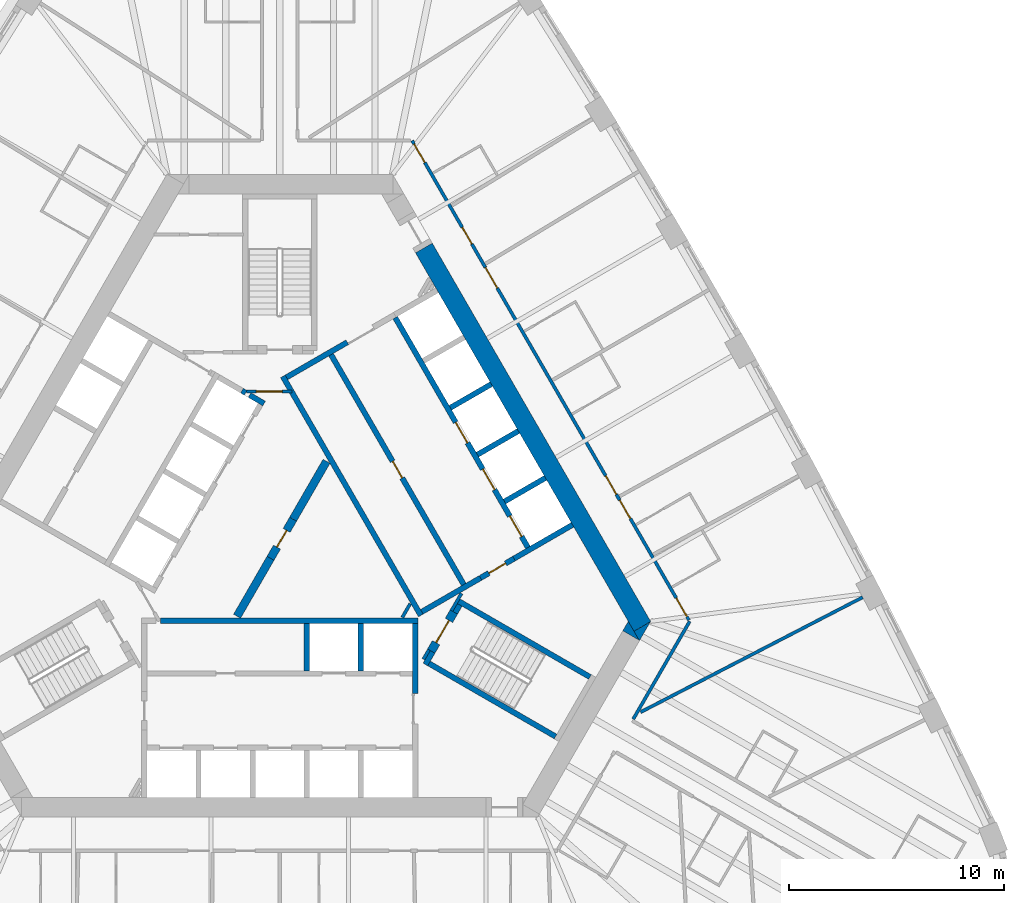
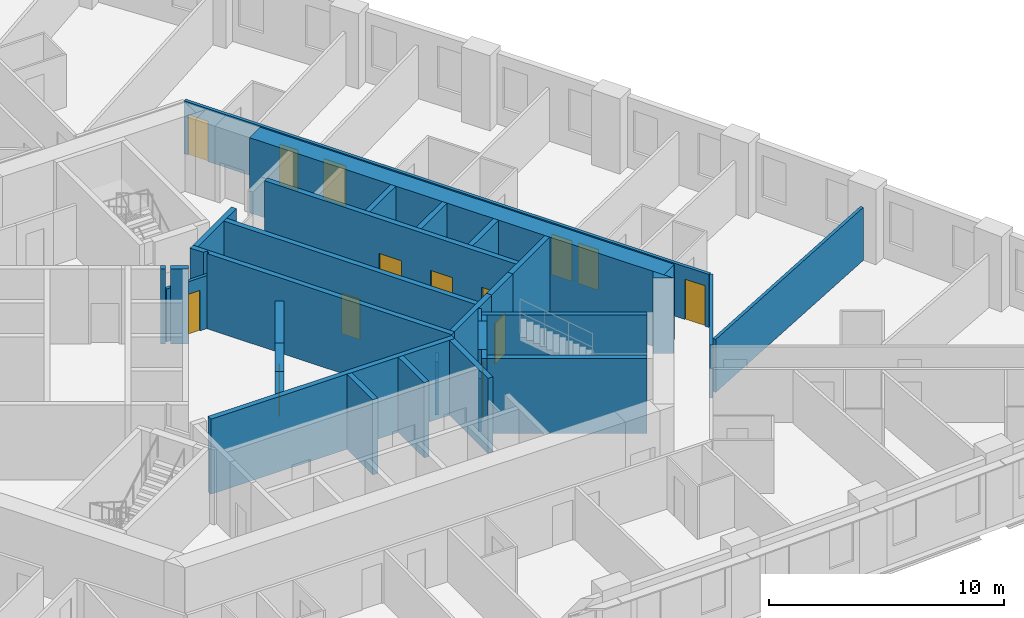
# One storey, part 8 of 13: 34 walls, 14 doors, 14 openings.
"""IFC4 building model written with IfcOpenShell, lengths in metres."""

import ifcopenshell
import ifcopenshell.guid

model = None  # the IFC model being written
_history = None  # IfcOwnerHistory: only IFC2X3 demands one
_inside = {}  # id of a spatial element -> (the spatial element, [elements in it])
_under = {}  # id of a project, library or spatial element -> (it, [spatial elements below it])
_declared = {}  # id of a project -> (the project, [libraries it declares])
_typed = {}  # id of a type object -> (the type object, [elements of that type])
_made_of = {}  # id of a material, layer set ... -> (it, [elements and type objects made of it])


def new_model(schema):
    """Start an empty IFC model of exactly this schema.

    Asked for "IFC4X3", IfcOpenShell would pick the latest addendum, in which some entities
    have other attributes; the version numbers below select the first issue.
    IFC2X3 requires an IfcOwnerHistory on every rooted entity: one is made here for all.
    """
    global model, _history
    if schema == "IFC4X3":
        model = ifcopenshell.file(schema_version=(4, 3, 0, 0))
    else:
        model = ifcopenshell.file(schema=schema)
    _inside.clear()
    _under.clear()
    _declared.clear()
    _typed.clear()
    _made_of.clear()
    _history = None
    if model.schema == "IFC2X3":
        org = make("IfcOrganization", Name="unknown")
        user = make(
            "IfcPersonAndOrganization",
            ThePerson=make("IfcPerson", FamilyName="unknown"),
            TheOrganization=org,
        )
        app = make(
            "IfcApplication",
            ApplicationDeveloper=org,
            Version="unknown",
            ApplicationFullName="unknown",
            ApplicationIdentifier="unknown",
        )
        _history = make(
            "IfcOwnerHistory",
            OwningUser=user,
            OwningApplication=app,
            ChangeAction="ADDED",
            CreationDate=0,
        )
    return model


def make(cls, **values):
    """One entity of the class cls with the attributes given. An attribute that is None is left unset."""
    return model.create_entity(
        cls, **{name: value for name, value in values.items() if value is not None}
    )


def rooted(cls, **values):
    """An entity with a GlobalId (a new one), such as an element, a storey or a relation."""
    return make(cls, GlobalId=ifcopenshell.guid.new(), OwnerHistory=_history, **values)


def si_unit(unit_type, name, prefix=None):
    """IfcSIUnit, for example si_unit("LENGTHUNIT", "METRE", prefix="MILLI")."""
    return make("IfcSIUnit", UnitType=unit_type, Prefix=prefix, Name=name)


def assignment(units):
    """IfcUnitAssignment: the units of a project."""
    return None if units is None else make("IfcUnitAssignment", Units=units)


def point(xyz):
    """IfcCartesianPoint."""
    return None if xyz is None else make("IfcCartesianPoint", Coordinates=xyz)


def direction(xyz):
    """IfcDirection."""
    return None if xyz is None else make("IfcDirection", DirectionRatios=xyz)


def frame(location, z_axis=None, x_axis=None):
    """IfcAxis2Placement3D, a coordinate frame: its origin and axes. An axis left out is left unset."""
    return make(
        "IfcAxis2Placement3D",
        Location=point(location),
        Axis=direction(z_axis),
        RefDirection=direction(x_axis),
    )


def frame_2d(location, x_axis=None):
    """IfcAxis2Placement2D, a coordinate frame in the plane: its origin and x axis."""
    return make(
        "IfcAxis2Placement2D", Location=point(location), RefDirection=direction(x_axis)
    )


def origin():
    """The frame at (0, 0, 0) with its axes left unset."""
    return frame((0.0, 0.0, 0.0))


def place(relative_to, where):
    """IfcLocalPlacement: puts the frame where relative to a parent placement (None: the world)."""
    return make(
        "IfcLocalPlacement", PlacementRelTo=relative_to, RelativePlacement=where
    )


def context(
    kind, dimensions, precision=None, world=None, true_north=None, identifier=None
):
    """IfcGeometricRepresentationContext, for example the 3D "Model" context."""
    return make(
        "IfcGeometricRepresentationContext",
        ContextIdentifier=identifier,
        ContextType=kind,
        CoordinateSpaceDimension=dimensions,
        Precision=precision,
        WorldCoordinateSystem=world,
        TrueNorth=true_north,
    )


def subcontext(parent, identifier, kind, view, scale=None):
    """IfcGeometricRepresentationSubContext, for example "Body" below "Model"."""
    return make(
        "IfcGeometricRepresentationSubContext",
        ContextIdentifier=identifier,
        ContextType=kind,
        ParentContext=parent,
        TargetScale=scale,
        TargetView=view,
    )


def project(units=None, contexts=None):
    """IfcProject with its units and contexts."""
    return rooted(
        "IfcProject",
        Name="project",
        RepresentationContexts=contexts,
        UnitsInContext=assignment(units),
    )


def spatial(cls, under=None, at=None, **own):
    """A site, building, storey or space (cls), placed at a placement, below another one or the project."""
    s = rooted(cls, ObjectPlacement=at, **own)
    if under is not None:
        _under.setdefault(under.id(), (under, []))[1].append(s)
    return s


def polyline(points):
    """IfcPolyline through the points."""
    return make("IfcPolyline", Points=[point(p) for p in points])


def profile(cls, at=None, kind="AREA", **sizes):
    """A parametric profile (cls). Its sizes go by their IFC names, for example OverallWidth=200.0."""
    return make(cls, ProfileType=kind, Position=at, **sizes)


def rectangle(**sizes):
    """IfcRectangleProfileDef."""
    return profile("IfcRectangleProfileDef", **sizes)


def outline(outer, holes=None, kind="AREA"):
    """IfcArbitraryClosedProfileDef: a profile drawn as a closed curve; with holes, ...WithVoids."""
    if holes is None:
        return make("IfcArbitraryClosedProfileDef", ProfileType=kind, OuterCurve=outer)
    return make(
        "IfcArbitraryProfileDefWithVoids",
        ProfileType=kind,
        OuterCurve=outer,
        InnerCurves=holes,
    )


def extrude(swept, where, along, depth):
    """IfcExtrudedAreaSolid: the profile swept, set in the frame where, extruded along a direction by depth."""
    return make(
        "IfcExtrudedAreaSolid",
        SweptArea=swept,
        Position=where,
        ExtrudedDirection=direction(along),
        Depth=depth,
    )


def shape(context_of_items, identifier, shape_type, items):
    """IfcShapeRepresentation: the items that make up one representation, for example the "Body"."""
    return make(
        "IfcShapeRepresentation",
        ContextOfItems=context_of_items,
        RepresentationIdentifier=identifier,
        RepresentationType=shape_type,
        Items=items,
    )


def material(Name=None, Category=None):
    """IfcMaterial."""
    return make("IfcMaterial", Name=Name, Category=Category)


def layer(
    of_material, thickness, ventilated=None, Name=None, Category=None, Priority=None
):
    """IfcMaterialLayer: one layer of a wall or slab, of a material (None: an air gap)."""
    return make(
        "IfcMaterialLayer",
        Material=of_material,
        LayerThickness=thickness,
        IsVentilated=ventilated,
        Name=Name,
        Category=Category,
        Priority=Priority,
    )


def layer_set(layers, Name=None):
    """IfcMaterialLayerSet."""
    return make("IfcMaterialLayerSet", MaterialLayers=layers, LayerSetName=Name)


def made_of(thing, what):
    """Note that an element or type object is made of a material, layer set ...; save() writes the relation."""
    if what is not None:
        _made_of.setdefault(what.id(), (what, []))[1].append(thing)
    return thing


def type_object(cls, material=None, **own):
    """A type object (cls), such as IfcWallType, which elements share."""
    return made_of(rooted(cls, **own), material)


def element(
    cls,
    number,
    at=None,
    inside=None,
    cuts=None,
    type_object=None,
    material=None,
    context=None,
    identifier="Body",
    shape_type=None,
    held_by="IfcProductDefinitionShape",
    body=None,
    shapes=None,
    **own,
):
    """One element of the class cls, such as IfcWall. Its Tag is "e" and its number.

    at: its placement. inside: the storey or other place that contains it. cuts: it is an
    opening in that element (IfcRelVoidsElement). A single representation is given by context,
    identifier, shape_type and body (its items); several are given by shapes. held_by: the class
    of the entity that holds the representations. save() writes the other relations.
    """
    e = rooted(cls, Tag="e%d" % number, ObjectPlacement=at, **own)
    if body is not None:
        shapes = [shape(context, identifier, shape_type, body)]
    if shapes is not None:
        e.Representation = make(held_by, Representations=shapes)
    if inside is not None:
        _inside.setdefault(inside.id(), (inside, []))[1].append(e)
    if cuts is not None:
        rooted(
            "IfcRelVoidsElement", RelatingBuildingElement=cuts, RelatedOpeningElement=e
        )
    if type_object is not None:
        _typed.setdefault(type_object.id(), (type_object, []))[1].append(e)
    return made_of(e, material)


def fill(opening, filler):
    """IfcRelFillsElement: the door or window that sits in an opening."""
    return rooted(
        "IfcRelFillsElement",
        RelatingOpeningElement=opening,
        RelatedBuildingElement=filler,
    )


def aggregate(whole, parts):
    """IfcRelAggregates: a whole, such as a stair, and the parts it consists of."""
    return rooted("IfcRelAggregates", RelatingObject=whole, RelatedObjects=parts)


def save(model, path):
    """Write the relations noted so far, then the file.

    IfcRelAggregates (storeys below a building ...), IfcRelContainedInSpatialStructure (elements
    in a storey), IfcRelDefinesByType, IfcRelAssociatesMaterial and IfcRelDeclares: one each for
    every whole, place, type object, material and project.
    """
    for whole, parts in _under.values():
        aggregate(whole, parts)
    for where, things in _inside.values():
        rooted(
            "IfcRelContainedInSpatialStructure",
            RelatedElements=things,
            RelatingStructure=where,
        )
    for kind, things in _typed.values():
        rooted("IfcRelDefinesByType", RelatedObjects=things, RelatingType=kind)
    for what, things in _made_of.values():
        rooted("IfcRelAssociatesMaterial", RelatedObjects=things, RelatingMaterial=what)
    for by, libraries in _declared.values():
        rooted("IfcRelDeclares", RelatingContext=by, RelatedDefinitions=libraries)
    model.write(path)


model = new_model("IFC4")

# Units and contexts
model_context = context("Model", 3, precision=1e-05, world=origin(), true_north=direction((0.0, 1.0)))
body_context = subcontext(model_context, "Body", "Model", "MODEL_VIEW")
ifc_project = project(units=[si_unit("LENGTHUNIT", "METRE"), si_unit("AREAUNIT", "SQUARE_METRE"), si_unit("VOLUMEUNIT", "CUBIC_METRE"), si_unit("PLANEANGLEUNIT", "RADIAN"), si_unit("MASSUNIT", "GRAM", prefix="KILO")], contexts=[model_context])

# Site, building, storey
site_placement = place(None, origin())
site = spatial("IfcSite", under=ifc_project, at=site_placement, CompositionType="ELEMENT")
building_placement = place(site_placement, origin())
building = spatial("IfcBuilding", under=site, at=building_placement, Name="Mestral Congress Tower", CompositionType="ELEMENT")
storey_placement = place(building_placement, frame((0.0, 0.0, 35.39990234375)))
storey = spatial("IfcBuildingStorey", under=building, at=storey_placement, Name="L07", CompositionType="ELEMENT", Elevation=35.39990234375)

# Walls
ifc_material_1 = material(Name="Fire-rated board partition")
ifc_layer_1 = layer(ifc_material_1, 0.14990234375)
ifc_layer_set_1 = layer_set([ifc_layer_1], Name="Fire-rated board partition")
wall_type_1 = type_object("IfcWallType", Name="Core partition 150", PredefinedType="PARTITIONING", material=ifc_layer_set_1)
wall_1_placement = place(storey_placement, frame((6.94482421875, -5.22216796875, 0.0), z_axis=(0.0, 0.0, 1.0), x_axis=(-0.499818422106, -0.866130212453, 0.0)))
element("IfcWall", 1, at=wall_1_placement, inside=storey, type_object=wall_type_1, Name="L07 core wall", PredefinedType="PARTITIONING", context=body_context, shape_type="SweptSolid", body=[
    extrude(rectangle(XDim=0.513916015625, YDim=0.14990234375, at=frame_2d((0.2568359375, 0.0))), origin(), (0.0, 0.0, 1.0), 2.75),
])
wall_2_placement = place(storey_placement, frame((5.704833984375, -3.718017578125, 0.0), z_axis=(0.0, 0.0, 1.0), x_axis=(0.499962090823, 0.866047289552, 0.0)))
element("IfcWall", 2, at=wall_2_placement, inside=storey, type_object=wall_type_1, Name="L07 core wall", PredefinedType="PARTITIONING", context=body_context, shape_type="SweptSolid", body=[
    extrude(rectangle(XDim=0.73486328125, YDim=0.14990234375, at=frame_2d((0.367431640625, 0.0))), origin(), (0.0, 0.0, 1.0), 2.75),
])
placement = place(storey_placement, origin())
element("IfcWall", 3, at=placement, inside=storey, type_object=wall_type_1, Name="L07 core wall", PredefinedType="PARTITIONING", context=body_context, shape_type="SweptSolid", body=[
    extrude(outline(polyline([(-0.590087890625, -0.871826171875), (-0.26513671875, -1.059326171875), (-1.822021484375, -3.755615234375), (-2.146728515625, -3.568115234375), (-0.590087890625, -0.871826171875)])), origin(), (0.0, 0.0, 1.0), 2.75),
])
element("IfcWall", 4, at=placement, inside=storey, type_object=wall_type_1, Name="L07 core wall", PredefinedType="PARTITIONING", context=body_context, shape_type="SweptSolid", body=[
    extrude(outline(polyline([(2.016845703125, 3.64306640625), (2.341552734375, 3.45556640625), (0.784912109375, 0.759521484375), (0.460205078125, 0.947021484375), (2.016845703125, 3.64306640625)])), origin(), (0.0, 0.0, 1.0), 2.75),
])

# Wall, opening, door
wall_5_placement = place(storey_placement, frame((-1.534423828125, 6.800048828125, 0.0), z_axis=(0.0, 0.0, 1.0), x_axis=(1.0, 0.0, 0.0)))
wall_5 = element("IfcWall", 5, at=wall_5_placement, inside=storey, type_object=wall_type_1, Name="L07 door wall", PredefinedType="PARTITIONING", context=body_context, shape_type="SweptSolid", body=[
    extrude(rectangle(XDim=2.099853515625, YDim=0.14990234375, at=frame_2d((1.0498046875, 0.0))), origin(), (0.0, 0.0, 1.0), 2.75),
])
opening_1_placement = place(wall_5_placement, frame((0.449951171875, 0.0, 0.0)))
opening_1 = element("IfcOpeningElement", 6, at=opening_1_placement, cuts=wall_5, Name="Opening CD2-FF", PredefinedType="OPENING", context=body_context, shape_type="SweptSolid", body=[
    extrude(rectangle(XDim=1.199951171875, YDim=2.10009765625, at=frame_2d((0.60009765625, 1.050048828125))), frame((0.0, 0.0849609375, 0.0), z_axis=(0.0, -1.0, 0.0), x_axis=(1.0, 0.0, 0.0)), (0.0, 0.0, 1.0), 0.169921875),
])
ifc_material_2 = material(Name="Fire-rated steel door set", Category="steel")
door_type_1 = type_object("IfcDoorType", Name="Core door CD 1200x2100", OperationType="SINGLE_SWING_LEFT", PredefinedType="DOOR", material=ifc_material_2)
door_1_placement = place(opening_1_placement, origin())
door_1 = element("IfcDoor", 7, at=door_1_placement, inside=storey, type_object=door_type_1, Name="Door CD2-FF", OperationType="SINGLE_SWING_LEFT", OverallHeight=2.10009765625, OverallWidth=1.199951171875, PredefinedType="DOOR", context=body_context, shape_type="SweptSolid", body=[
    extrude(rectangle(XDim=1.199951171875, YDim=2.10009765625, at=frame_2d((0.60009765625, 1.050048828125))), frame((0.0, 0.02490234375, 0.0), z_axis=(0.0, -1.0, 0.0), x_axis=(1.0, 0.0, 0.0)), (0.0, 0.0, 1.0), 0.050048828125),
])
fill(opening_1, door_1)

ifc_layer_2 = layer(ifc_material_1, 0.375)
ifc_layer_set_2 = layer_set([ifc_layer_2], Name="Fire-rated board partition")
wall_type_2 = type_object("IfcWallType", Name="Core partition 150 door-wall 375", PredefinedType="PARTITIONING", material=ifc_layer_set_2)
wall_6_placement = place(storey_placement, frame((-0.427490234375, -0.965576171875, 0.0), z_axis=(0.0, 0.0, 1.0), x_axis=(0.49994051562, 0.866059744384, 0.0)))
wall_6 = element("IfcWall", 8, at=wall_6_placement, inside=storey, type_object=wall_type_2, Name="L07 door wall", PredefinedType="PARTITIONING", context=body_context, shape_type="SweptSolid", body=[
    extrude(rectangle(XDim=2.099853515625, YDim=0.375, at=frame_2d((1.0498046875, 0.0))), origin(), (0.0, 0.0, 1.0), 2.75),
])
opening_2_placement = place(wall_6_placement, frame((0.60009765625, 0.0, 0.0)))
opening_2 = element("IfcOpeningElement", 9, at=opening_2_placement, cuts=wall_6, Name="Opening CD1-HUB0", PredefinedType="OPENING", context=body_context, shape_type="SweptSolid", body=[
    extrude(rectangle(XDim=0.89990234375, YDim=2.10009765625, at=frame_2d((0.449951171875, 1.050048828125))), frame((0.0, 0.197509765625, 0.0), z_axis=(0.0, -1.0, 0.0), x_axis=(1.0, 0.0, 0.0)), (0.0, 0.0, 1.0), 0.39501953125),
])
door_type_2 = type_object("IfcDoorType", Name="Core door CD 900x2100", OperationType="SINGLE_SWING_LEFT", PredefinedType="DOOR", material=ifc_material_2)
door_2_placement = place(opening_2_placement, origin())
door_2 = element("IfcDoor", 10, at=door_2_placement, inside=storey, type_object=door_type_2, Name="Door CD1-HUB0", OperationType="SINGLE_SWING_LEFT", OverallHeight=2.10009765625, OverallWidth=0.89990234375, PredefinedType="DOOR", context=body_context, shape_type="SweptSolid", body=[
    extrude(rectangle(XDim=0.89990234375, YDim=2.10009765625, at=frame_2d((0.449951171875, 1.050048828125))), frame((0.0, 0.02490234375, 0.0), z_axis=(0.0, -1.0, 0.0), x_axis=(1.0, 0.0, 0.0)), (0.0, 0.0, 1.0), 0.050048828125),
])
fill(opening_2, door_2)

# Walls
ifc_material_3 = material(Name="Concrete C60/75", Category="concrete")
ifc_layer_3 = layer(ifc_material_3, 0.89990234375)
ifc_layer_set_3 = layer_set([ifc_layer_3], Name="Concrete C60/75")
wall_type_3 = type_object("IfcWallType", Name="Core wall RC 900", PredefinedType="SOLIDWALL", material=ifc_layer_set_3)
wall_7_placement = place(storey_placement, frame((6.7109375, 13.476318359375, 0.0), z_axis=(0.0, 0.0, 1.0), x_axis=(0.500002723396, -0.866023831425, 0.0)))
element("IfcWall", 11, at=wall_7_placement, inside=storey, type_object=wall_type_3, Name="L07 core wall", PredefinedType="SOLIDWALL", context=body_context, shape_type="SweptSolid", body=[
    extrude(rectangle(XDim=20.333984375, YDim=0.89990234375, at=frame_2d((10.1669921875, 0.0))), origin(), (0.0, 0.0, 1.0), 3.900146484375),
])
element("IfcWall", 12, at=placement, inside=storey, type_object=wall_type_3, Name="L07 core wall", PredefinedType="SOLIDWALL", context=body_context, shape_type="SweptSolid", body=[
    extrude(outline(polyline([(16.7431640625, -4.800048828125), (16.4892578125, -4.360107421875), (17.251220703125, -3.920166015625), (16.7431640625, -4.800048828125)])), origin(), (0.0, 0.0, 1.0), 3.900146484375),
])
element("IfcWall", 13, at=placement, inside=storey, type_object=wall_type_3, Name="L07 core wall", PredefinedType="SOLIDWALL", context=body_context, shape_type="SweptSolid", body=[
    extrude(outline(polyline([(16.223388671875, -3.900146484375), (16.731689453125, -4.780029296875), (15.969482421875, -4.340087890625), (16.223388671875, -3.900146484375)])), origin(), (0.0, 0.0, 1.0), 3.900146484375),
])
ifc_material_4 = material(Name="Gypsum board partition on metal studs with mineral wool", Category="composite")
ifc_layer_4 = layer(ifc_material_4, 0.14990234375)
ifc_layer_set_4 = layer_set([ifc_layer_4], Name="Gypsum board partition on metal studs with mineral wool")
wall_type_4 = type_object("IfcWallType", Name="Hotel partition wall 150", PredefinedType="PARTITIONING", material=ifc_layer_set_4)
wall_10_placement = place(storey_placement, frame((19.081298828125, -3.89990234375, 0.0), z_axis=(0.0, 0.0, 1.0), x_axis=(-0.499974327079, -0.866040225545, 0.0)))
element("IfcWall", 14, at=wall_10_placement, inside=storey, type_object=wall_type_4, Name="L07-h-cw02", PredefinedType="PARTITIONING", context=body_context, shape_type="SweptSolid", body=[
    extrude(rectangle(XDim=5.258056640625, YDim=0.14990234375, at=frame_2d((2.62890625, 0.0))), origin(), (0.0, 0.0, 1.0), 2.75),
])

# Wall, openings, doors
wall_11_placement = place(storey_placement, frame((6.1630859375, 18.47509765625, 0.0), z_axis=(0.0, 0.0, 1.0), x_axis=(0.500001317485, -0.866024643133, 0.0)))
wall_11 = element("IfcWall", 15, at=wall_11_placement, inside=storey, type_object=wall_type_4, Name="L07-h-cw03", PredefinedType="PARTITIONING", context=body_context, shape_type="SweptSolid", body=[
    extrude(rectangle(XDim=25.7666015625, YDim=0.14990234375, at=frame_2d((12.88330078125, 0.0))), origin(), (0.0, 0.0, 1.0), 2.75),
])
opening_3_placement = place(wall_11_placement, frame((24.58642578125, 0.0, 0.0)))
opening_3 = element("IfcOpeningElement", 16, at=opening_3_placement, cuts=wall_11, Name="Opening H01-024", PredefinedType="OPENING", context=body_context, shape_type="SweptSolid", body=[
    extrude(rectangle(XDim=1.0, YDim=2.10009765625, at=frame_2d((0.5, 1.050048828125))), frame((0.0, 0.0849609375, 0.0), z_axis=(0.0, -1.0, 0.0), x_axis=(1.0, 0.0, 0.0)), (0.0, 0.0, 1.0), 0.169921875),
])
opening_4_placement = place(wall_11_placement, frame((19.3193359375, 0.0, 0.0)))
opening_4 = element("IfcOpeningElement", 17, at=opening_4_placement, cuts=wall_11, Name="Opening H01-026", PredefinedType="OPENING", context=body_context, shape_type="SweptSolid", body=[
    extrude(rectangle(XDim=1.0, YDim=2.10009765625, at=frame_2d((0.5, 1.050048828125))), frame((0.0, 0.0849609375, 0.0), z_axis=(0.0, -1.0, 0.0), x_axis=(1.0, 0.0, 0.0)), (0.0, 0.0, 1.0), 0.169921875),
])
opening_5_placement = place(wall_11_placement, frame((18.012451171875, 0.0, 0.0)))
opening_5 = element("IfcOpeningElement", 18, at=opening_5_placement, cuts=wall_11, Name="Opening H01-028", PredefinedType="OPENING", context=body_context, shape_type="SweptSolid", body=[
    extrude(rectangle(XDim=1.0, YDim=2.10009765625, at=frame_2d((0.5, 1.050048828125))), frame((0.0, 0.0849609375, 0.0), z_axis=(0.0, -1.0, 0.0), x_axis=(1.0, 0.0, 0.0)), (0.0, 0.0, 1.0), 0.169921875),
])
opening_6_placement = place(wall_11_placement, frame((6.82421875, 0.0, 0.0)))
opening_6 = element("IfcOpeningElement", 19, at=opening_6_placement, cuts=wall_11, Name="Opening H01-030", PredefinedType="OPENING", context=body_context, shape_type="SweptSolid", body=[
    extrude(rectangle(XDim=1.10009765625, YDim=2.10009765625, at=frame_2d((0.550048828125, 1.050048828125))), frame((0.0, 0.0849609375, 0.0), z_axis=(0.0, -1.0, 0.0), x_axis=(1.0, 0.0, 0.0)), (0.0, 0.0, 1.0), 0.169921875),
])
opening_7_placement = place(wall_11_placement, frame((4.65771484375, 0.0, 0.0)))
opening_7 = element("IfcOpeningElement", 20, at=opening_7_placement, cuts=wall_11, Name="Opening H01-032", PredefinedType="OPENING", context=body_context, shape_type="SweptSolid", body=[
    extrude(rectangle(XDim=0.89990234375, YDim=2.10009765625, at=frame_2d((0.449951171875, 1.050048828125))), frame((0.0, 0.0849609375, 0.0), z_axis=(0.0, -1.0, 0.0), x_axis=(1.0, 0.0, 0.0)), (0.0, 0.0, 1.0), 0.169921875),
])
opening_8_placement = place(wall_11_placement, frame((0.179931640625, 0.0, 0.0)))
opening_8 = element("IfcOpeningElement", 21, at=opening_8_placement, cuts=wall_11, Name="Opening H01-033", PredefinedType="OPENING", context=body_context, shape_type="SweptSolid", body=[
    extrude(rectangle(XDim=1.0, YDim=2.10009765625, at=frame_2d((0.5, 1.050048828125))), frame((0.0, 0.0849609375, 0.0), z_axis=(0.0, -1.0, 0.0), x_axis=(1.0, 0.0, 0.0)), (0.0, 0.0, 1.0), 0.169921875),
])
ifc_material_5 = material(Name="Timber veneer door leaf in metal frame", Category="wood")
door_type_3 = type_object("IfcDoorType", Name="Accessible room entrance door 1100", OperationType="SINGLE_SWING_LEFT", PredefinedType="DOOR", material=ifc_material_5)
door_3_placement = place(opening_6_placement, origin())
door_3 = element("IfcDoor", 22, at=door_3_placement, inside=storey, type_object=door_type_3, Name="L07-h-d030", OperationType="SINGLE_SWING_LEFT", OverallHeight=2.10009765625, OverallWidth=1.10009765625, PredefinedType="DOOR", context=body_context, shape_type="SweptSolid", body=[
    extrude(rectangle(XDim=1.10009765625, YDim=2.10009765625, at=frame_2d((0.550048828125, 1.050048828125))), frame((0.0, 0.02490234375, 0.0), z_axis=(0.0, -1.0, 0.0), x_axis=(1.0, 0.0, 0.0)), (0.0, 0.0, 1.0), 0.050048828125),
])
fill(opening_6, door_3)
door_type_4 = type_object("IfcDoorType", Name="Guest room entrance door 1000", OperationType="SINGLE_SWING_LEFT", PredefinedType="DOOR", material=ifc_material_5)
door_4_placement = place(opening_3_placement, origin())
door_4 = element("IfcDoor", 23, at=door_4_placement, inside=storey, type_object=door_type_4, Name="L07-h-d024", OperationType="SINGLE_SWING_RIGHT", OverallHeight=2.10009765625, OverallWidth=1.0, PredefinedType="DOOR", context=body_context, shape_type="SweptSolid", body=[
    extrude(rectangle(XDim=1.0, YDim=2.10009765625, at=frame_2d((0.5, 1.050048828125))), frame((0.0, 0.02490234375, 0.0), z_axis=(0.0, -1.0, 0.0), x_axis=(1.0, 0.0, 0.0)), (0.0, 0.0, 1.0), 0.050048828125),
])
fill(opening_3, door_4)
door_5_placement = place(opening_4_placement, origin())
door_5 = element("IfcDoor", 24, at=door_5_placement, inside=storey, type_object=door_type_4, Name="L07-h-d026", OperationType="SINGLE_SWING_LEFT", OverallHeight=2.10009765625, OverallWidth=1.0, PredefinedType="DOOR", context=body_context, shape_type="SweptSolid", body=[
    extrude(rectangle(XDim=1.0, YDim=2.10009765625, at=frame_2d((0.5, 1.050048828125))), frame((0.0, 0.02490234375, 0.0), z_axis=(0.0, -1.0, 0.0), x_axis=(1.0, 0.0, 0.0)), (0.0, 0.0, 1.0), 0.050048828125),
])
fill(opening_4, door_5)
door_6_placement = place(opening_5_placement, origin())
door_6 = element("IfcDoor", 25, at=door_6_placement, inside=storey, type_object=door_type_4, Name="L07-h-d028", OperationType="SINGLE_SWING_RIGHT", OverallHeight=2.10009765625, OverallWidth=1.0, PredefinedType="DOOR", context=body_context, shape_type="SweptSolid", body=[
    extrude(rectangle(XDim=1.0, YDim=2.10009765625, at=frame_2d((0.5, 1.050048828125))), frame((0.0, 0.02490234375, 0.0), z_axis=(0.0, -1.0, 0.0), x_axis=(1.0, 0.0, 0.0)), (0.0, 0.0, 1.0), 0.050048828125),
])
fill(opening_5, door_6)
door_7_placement = place(opening_8_placement, origin())
door_7 = element("IfcDoor", 26, at=door_7_placement, inside=storey, type_object=door_type_4, Name="L07-h-d033", OperationType="SINGLE_SWING_LEFT", OverallHeight=2.10009765625, OverallWidth=1.0, PredefinedType="DOOR", context=body_context, shape_type="SweptSolid", body=[
    extrude(rectangle(XDim=1.0, YDim=2.10009765625, at=frame_2d((0.5, 1.050048828125))), frame((0.0, 0.02490234375, 0.0), z_axis=(0.0, -1.0, 0.0), x_axis=(1.0, 0.0, 0.0)), (0.0, 0.0, 1.0), 0.050048828125),
])
fill(opening_8, door_7)
door_type_5 = type_object("IfcDoorType", Name="Service room door 900", OperationType="SINGLE_SWING_LEFT", PredefinedType="DOOR", material=ifc_material_5)
door_8_placement = place(opening_7_placement, origin())
door_8 = element("IfcDoor", 27, at=door_8_placement, inside=storey, type_object=door_type_5, Name="L07-h-d032", OperationType="SINGLE_SWING_LEFT", OverallHeight=2.10009765625, OverallWidth=0.89990234375, PredefinedType="DOOR", context=body_context, shape_type="SweptSolid", body=[
    extrude(rectangle(XDim=0.89990234375, YDim=2.10009765625, at=frame_2d((0.449951171875, 1.050048828125))), frame((0.0, 0.02490234375, 0.0), z_axis=(0.0, -1.0, 0.0), x_axis=(1.0, 0.0, 0.0)), (0.0, 0.0, 1.0), 0.050048828125),
])
fill(opening_7, door_8)

# Walls
wall_12_placement = place(storey_placement, frame((27.133544921875, -2.779052734375, 0.0), z_axis=(0.0, 0.0, 1.0), x_axis=(-0.8882049501, -0.459447457951, 0.0)))
element("IfcWall", 28, at=wall_12_placement, inside=storey, type_object=wall_type_4, Name="L07-h-pw25", PredefinedType="PARTITIONING", context=body_context, shape_type="SweptSolid", body=[
    extrude(rectangle(XDim=11.63818359375, YDim=0.14990234375, at=frame_2d((5.819091796875, 0.0))), origin(), (0.0, 0.0, 1.0), 2.75),
])
ifc_layer_5 = layer(ifc_material_3, 0.25)
ifc_layer_set_5 = layer_set([ifc_layer_5], Name="Concrete C60/75")
wall_type_5 = type_object("IfcWallType", Name="Shaft wall RC 250", PredefinedType="SOLIDWALL", material=ifc_layer_set_5)
wall_13_placement = place(storey_placement, frame((-5.544921875, -3.875, 0.0), z_axis=(0.0, 0.0, 1.0), x_axis=(1.0, 0.0, 0.0)))
element("IfcWall", 29, at=wall_13_placement, inside=storey, type_object=wall_type_5, Name="L07 core wall", PredefinedType="SOLIDWALL", context=body_context, shape_type="SweptSolid", body=[
    extrude(rectangle(XDim=11.969970703125, YDim=0.25, at=frame_2d((5.98486328125, 0.0))), origin(), (0.0, 0.0, 1.0), 3.900146484375),
])
wall_14_placement = place(storey_placement, frame((6.300048828125, -7.26806640625, 0.0), z_axis=(0.0, 0.0, 1.0), x_axis=(0.0, 1.0, 0.0)))
element("IfcWall", 30, at=wall_14_placement, inside=storey, type_object=wall_type_5, Name="L07 core wall", PredefinedType="SOLIDWALL", context=body_context, shape_type="SweptSolid", body=[
    extrude(rectangle(XDim=3.26806640625, YDim=0.25, at=frame_2d((1.634033203125, 0.0))), origin(), (0.0, 0.0, 1.0), 3.900146484375),
])
for number, where, z_axis, x_axis, name in (
    (31, (3.780029296875, -4.0, 0.0), (0.0, 0.0, 1.0), (0.0, -1.0, 0.0), "L07 core wall"),
    (32, (1.260009765625, -4.0, 0.0), (0.0, 0.0, 1.0), (0.0, -1.0, 0.0), "L07 core wall"),
    (33, (10.463623046875, 1.676513671875, 0.0), (0.0, 0.0, 1.0), (0.86605622881, 0.499946605688, 0.0), "L07 core wall"),
):
    element("IfcWall", number, at=place(storey_placement, frame(where, z_axis=z_axis, x_axis=x_axis)), inside=storey, type_object=wall_type_5, Name=name, PredefinedType="SOLIDWALL", context=body_context, shape_type="SweptSolid", body=[
        extrude(rectangle(XDim=2.199951171875, YDim=0.25, at=frame_2d((1.10009765625, 0.0))), origin(), (0.0, 0.0, 1.0), 3.900146484375),
    ])
wall_15_placement = place(storey_placement, frame((13.62890625, 0.593994140625, 0.0), z_axis=(0.0, 0.0, 1.0), x_axis=(-0.86602790099, -0.499995674689, 0.0)))
element("IfcWall", 34, at=wall_15_placement, inside=storey, type_object=wall_type_5, Name="L07 core wall", PredefinedType="SOLIDWALL", context=body_context, shape_type="SweptSolid", body=[
    extrude(rectangle(XDim=3.1455078125, YDim=0.25, at=frame_2d((1.57275390625, 0.0))), origin(), (0.0, 0.0, 1.0), 3.900146484375),
])
element("IfcWall", 35, at=placement, inside=storey, type_object=wall_type_5, Name="L07 core wall", PredefinedType="SOLIDWALL", context=body_context, shape_type="SweptSolid", body=[
    extrude(outline(polyline([(0.565673828125, 6.72509765625), (0.565673828125, 6.875), (0.565673828125, 6.875), (0.5654296875, 6.875), (0.36083984375, 6.875), (0.03515625, 7.439208984375), (0.251708984375, 7.564208984375), (0.376708984375, 7.34765625), (6.551513671875, -3.34765625), (6.676513671875, -3.564208984375), (6.460205078125, -3.689208984375), (0.447509765625, 6.724853515625), (0.5654296875, 6.724853515625), (0.565673828125, 6.724853515625), (0.565673828125, 6.72509765625)])), origin(), (0.0, 0.0, 1.0), 3.900146484375),
])
wall_17_placement = place(storey_placement, frame((0.314208984375, 7.455810546875, 0.0), z_axis=(0.0, 0.0, 1.0), x_axis=(0.866013897511, 0.50001992892, 0.0)))
element("IfcWall", 36, at=wall_17_placement, inside=storey, type_object=wall_type_5, Name="L07 core wall", PredefinedType="SOLIDWALL", context=body_context, shape_type="SweptSolid", body=[
    extrude(rectangle(XDim=3.267822265625, YDim=0.25, at=frame_2d((1.6337890625, 0.0))), origin(), (0.0, 0.0, 1.0), 3.900146484375),
])
wall_18_placement = place(storey_placement, frame((6.614013671875, -3.4560546875, 0.0), z_axis=(0.0, 0.0, 1.0), x_axis=(0.86602447079, 0.500001615989, 0.0)))
element("IfcWall", 37, at=wall_18_placement, inside=storey, type_object=wall_type_5, Name="L07 core wall", PredefinedType="SOLIDWALL", context=body_context, shape_type="SweptSolid", body=[
    extrude(rectangle(XDim=3.154296875, YDim=0.25, at=frame_2d((1.5771484375, 0.0))), origin(), (0.0, 0.0, 1.0), 3.900146484375),
])
for number, where, z_axis, x_axis, name in (
    (38, (7.943603515625, 6.041259765625, 0.0), (0.0, 0.0, 1.0), (0.86605622881, 0.499946605688, 0.0), "L07 core wall"),
    (39, (9.20361328125, 3.85888671875, 0.0), (0.0, 0.0, 1.0), (0.86605622881, 0.499946605688, 0.0), "L07 core wall"),
):
    element("IfcWall", number, at=place(storey_placement, frame(where, z_axis=z_axis, x_axis=x_axis)), inside=storey, type_object=wall_type_5, Name=name, PredefinedType="SOLIDWALL", context=body_context, shape_type="SweptSolid", body=[
        extrude(rectangle(XDim=2.199951171875, YDim=0.25, at=frame_2d((1.10009765625, 0.0))), origin(), (0.0, 0.0, 1.0), 3.900146484375),
    ])
wall_19_placement = place(storey_placement, frame((-1.75830078125, 6.834716796875, 0.0), z_axis=(0.0, 0.0, 1.0), x_axis=(0.865982457891, -0.500074377092, 0.0)))
element("IfcWall", 40, at=wall_19_placement, inside=storey, type_object=wall_type_5, Name="L07 core wall", PredefinedType="SOLIDWALL", context=body_context, shape_type="SweptSolid", body=[
    extrude(rectangle(XDim=0.2001953125, YDim=0.25, at=frame_2d((0.10009765625, 0.0))), origin(), (0.0, 0.0, 1.0), 3.900146484375),
])
wall_20_placement = place(storey_placement, frame((-0.7275390625, 6.23974609375, 0.0), z_axis=(0.0, 0.0, 1.0), x_axis=(-0.865955664968, 0.500120771724, 0.0)))
element("IfcWall", 41, at=wall_20_placement, inside=storey, type_object=wall_type_5, Name="L07 core wall", PredefinedType="SOLIDWALL", context=body_context, shape_type="SweptSolid", body=[
    extrude(rectangle(XDim=0.778076171875, YDim=0.25, at=frame_2d((0.38916015625, 0.0))), origin(), (0.0, 0.0, 1.0), 3.900146484375),
])

# Wall, openings, doors
wall_21_placement = place(storey_placement, frame((11.552978515625, -0.460205078125, 0.0), z_axis=(0.0, 0.0, 1.0), x_axis=(-0.500006514828, 0.866021642414, 0.0)))
wall_21 = element("IfcWall", 42, at=wall_21_placement, inside=storey, type_object=wall_type_5, Name="L07 door wall", PredefinedType="SOLIDWALL", context=body_context, shape_type="SweptSolid", body=[
    extrude(rectangle(XDim=12.349853515625, YDim=0.25, at=frame_2d((6.1748046875, 0.0))), origin(), (0.0, 0.0, 1.0), 3.900146484375),
])
opening_9_placement = place(wall_21_placement, frame((0.5849609375, 0.0, 0.0)))
opening_9 = element("IfcOpeningElement", 43, at=opening_9_placement, cuts=wall_21, Name="Opening LD-NEA1", PredefinedType="OPENING", context=body_context, shape_type="SweptSolid", body=[
    extrude(rectangle(XDim=1.10009765625, YDim=2.10009765625, at=frame_2d((0.550048828125, 1.050048828125))), frame((0.0, 0.135009765625, 0.0), z_axis=(0.0, -1.0, 0.0), x_axis=(1.0, 0.0, 0.0)), (0.0, 0.0, 1.0), 0.27001953125),
])
opening_10_placement = place(wall_21_placement, frame((3.10498046875, 0.0, 0.0)))
opening_10 = element("IfcOpeningElement", 44, at=opening_10_placement, cuts=wall_21, Name="Opening LD-NEA2", PredefinedType="OPENING", context=body_context, shape_type="SweptSolid", body=[
    extrude(rectangle(XDim=1.10009765625, YDim=2.10009765625, at=frame_2d((0.550048828125, 1.050048828125))), frame((0.0, 0.135009765625, 0.0), z_axis=(0.0, -1.0, 0.0), x_axis=(1.0, 0.0, 0.0)), (0.0, 0.0, 1.0), 0.27001953125),
])
opening_11_placement = place(wall_21_placement, frame((5.625, 0.0, 0.0)))
opening_11 = element("IfcOpeningElement", 45, at=opening_11_placement, cuts=wall_21, Name="Opening LD-NEA3", PredefinedType="OPENING", context=body_context, shape_type="SweptSolid", body=[
    extrude(rectangle(XDim=1.10009765625, YDim=2.10009765625, at=frame_2d((0.550048828125, 1.050048828125))), frame((0.0, 0.135009765625, 0.0), z_axis=(0.0, -1.0, 0.0), x_axis=(1.0, 0.0, 0.0)), (0.0, 0.0, 1.0), 0.27001953125),
])
door_type_6 = type_object("IfcDoorType", Name="Core door LD 1100x2100", OperationType="DOUBLE_DOOR_SLIDING", PredefinedType="DOOR", material=ifc_material_2)
door_9_placement = place(opening_9_placement, origin())
door_9 = element("IfcDoor", 46, at=door_9_placement, inside=storey, type_object=door_type_6, Name="Door LD-NEA1", OperationType="DOUBLE_DOOR_SLIDING", OverallHeight=2.10009765625, OverallWidth=1.10009765625, PredefinedType="DOOR", context=body_context, shape_type="SweptSolid", body=[
    extrude(rectangle(XDim=1.10009765625, YDim=2.10009765625, at=frame_2d((0.550048828125, 1.050048828125))), frame((0.0, 0.02490234375, 0.0), z_axis=(0.0, -1.0, 0.0), x_axis=(1.0, 0.0, 0.0)), (0.0, 0.0, 1.0), 0.050048828125),
])
fill(opening_9, door_9)
door_10_placement = place(opening_10_placement, origin())
door_10 = element("IfcDoor", 47, at=door_10_placement, inside=storey, type_object=door_type_6, Name="Door LD-NEA2", OperationType="DOUBLE_DOOR_SLIDING", OverallHeight=2.10009765625, OverallWidth=1.10009765625, PredefinedType="DOOR", context=body_context, shape_type="SweptSolid", body=[
    extrude(rectangle(XDim=1.10009765625, YDim=2.10009765625, at=frame_2d((0.550048828125, 1.050048828125))), frame((0.0, 0.02490234375, 0.0), z_axis=(0.0, -1.0, 0.0), x_axis=(1.0, 0.0, 0.0)), (0.0, 0.0, 1.0), 0.050048828125),
])
fill(opening_10, door_10)
door_11_placement = place(opening_11_placement, origin())
door_11 = element("IfcDoor", 48, at=door_11_placement, inside=storey, type_object=door_type_6, Name="Door LD-NEA3", OperationType="DOUBLE_DOOR_SLIDING", OverallHeight=2.10009765625, OverallWidth=1.10009765625, PredefinedType="DOOR", context=body_context, shape_type="SweptSolid", body=[
    extrude(rectangle(XDim=1.10009765625, YDim=2.10009765625, at=frame_2d((0.550048828125, 1.050048828125))), frame((0.0, 0.02490234375, 0.0), z_axis=(0.0, -1.0, 0.0), x_axis=(1.0, 0.0, 0.0)), (0.0, 0.0, 1.0), 0.050048828125),
])
fill(opening_11, door_11)

# Wall, opening, door
wall_22_placement = place(storey_placement, frame((8.565185546875, -2.185302734375, 0.0), z_axis=(0.0, 0.0, 1.0), x_axis=(-0.499997954832, 0.866026584559, 0.0)))
wall_22 = element("IfcWall", 49, at=wall_22_placement, inside=storey, type_object=wall_type_5, Name="L07 door wall", PredefinedType="SOLIDWALL", context=body_context, shape_type="SweptSolid", body=[
    extrude(rectangle(XDim=12.35009765625, YDim=0.25, at=frame_2d((6.175048828125, 0.0))), origin(), (0.0, 0.0, 1.0), 3.900146484375),
])
opening_12_placement = place(wall_22_placement, frame((5.72509765625, 0.0, 0.0)))
opening_12 = element("IfcOpeningElement", 50, at=opening_12_placement, cuts=wall_22, Name="Opening SR-NEB1", PredefinedType="OPENING", context=body_context, shape_type="SweptSolid", body=[
    extrude(rectangle(XDim=0.89990234375, YDim=2.10009765625, at=frame_2d((0.449951171875, 1.050048828125))), frame((0.0, 0.135009765625, 0.0), z_axis=(0.0, -1.0, 0.0), x_axis=(1.0, 0.0, 0.0)), (0.0, 0.0, 1.0), 0.27001953125),
])
door_type_7 = type_object("IfcDoorType", Name="Core door SR 900x2100", OperationType="SINGLE_SWING_LEFT", PredefinedType="DOOR", material=ifc_material_2)
door_12_placement = place(opening_12_placement, origin())
door_12 = element("IfcDoor", 51, at=door_12_placement, inside=storey, type_object=door_type_7, Name="Door SR-NEB1", OperationType="SINGLE_SWING_LEFT", OverallHeight=2.10009765625, OverallWidth=0.89990234375, PredefinedType="DOOR", context=body_context, shape_type="SweptSolid", body=[
    extrude(rectangle(XDim=0.89990234375, YDim=2.10009765625, at=frame_2d((0.449951171875, 1.050048828125))), frame((0.0, 0.02490234375, 0.0), z_axis=(0.0, -1.0, 0.0), x_axis=(1.0, 0.0, 0.0)), (0.0, 0.0, 1.0), 0.050048828125),
])
fill(opening_12, door_12)

wall_23_placement = place(storey_placement, frame((9.345947265625, -1.878662109375, 0.0), z_axis=(0.0, 0.0, 1.0), x_axis=(0.866047807691, 0.499961193289, 0.0)))
wall_23 = element("IfcWall", 52, at=wall_23_placement, inside=storey, type_object=wall_type_5, Name="L07 door wall", PredefinedType="SOLIDWALL", context=body_context, shape_type="SweptSolid", body=[
    extrude(rectangle(XDim=1.800048828125, YDim=0.25, at=frame_2d((0.89990234375, 0.0))), origin(), (0.0, 0.0, 1.0), 3.900146484375),
])
opening_13_placement = place(wall_23_placement, frame((0.449951171875, 0.0, 0.0)))
opening_13 = element("IfcOpeningElement", 53, at=opening_13_placement, cuts=wall_23, Name="Opening TD1", PredefinedType="OPENING", context=body_context, shape_type="SweptSolid", body=[
    extrude(rectangle(XDim=0.89990234375, YDim=2.10009765625, at=frame_2d((0.449951171875, 1.050048828125))), frame((0.0, 0.135009765625, 0.0), z_axis=(0.0, -1.0, 0.0), x_axis=(1.0, 0.0, 0.0)), (0.0, 0.0, 1.0), 0.27001953125),
])
door_13_placement = place(opening_13_placement, origin())
door_13 = element("IfcDoor", 54, at=door_13_placement, inside=storey, type_object=door_type_7, Name="Door TD1", OperationType="SINGLE_SWING_LEFT", OverallHeight=2.10009765625, OverallWidth=0.89990234375, PredefinedType="DOOR", context=body_context, shape_type="SweptSolid", body=[
    extrude(rectangle(XDim=0.89990234375, YDim=2.10009765625, at=frame_2d((0.449951171875, 1.050048828125))), frame((0.0, 0.02490234375, 0.0), z_axis=(0.0, -1.0, 0.0), x_axis=(1.0, 0.0, 0.0)), (0.0, 0.0, 1.0), 0.050048828125),
])
fill(opening_13, door_13)

# Walls
ifc_layer_6 = layer(ifc_material_3, 0.14990234375)
ifc_layer_set_6 = layer_set([ifc_layer_6], Name="Concrete C60/75")
wall_type_6 = type_object("IfcWallType", Name="Shaft wall RC 250 door-wall 150", PredefinedType="SOLIDWALL", material=ifc_layer_set_6)
wall_24_placement = place(storey_placement, frame((8.459228515625, -2.59912109375, 0.0), z_axis=(0.0, 0.0, 1.0), x_axis=(-0.500041054325, -0.866001699761, 0.0)))
element("IfcWall", 55, at=wall_24_placement, inside=storey, type_object=wall_type_6, Name="L07 core wall", PredefinedType="PARTITIONING", context=body_context, shape_type="SweptSolid", body=[
    extrude(rectangle(XDim=0.9287109375, YDim=0.14990234375, at=frame_2d((0.46435546875, 0.0))), origin(), (0.0, 0.0, 1.0), 3.900146484375),
])
ifc_layer_7 = layer(ifc_material_3, 0.25)
ifc_layer_set_7 = layer_set([ifc_layer_7], Name="Concrete C60/75")
wall_type_7 = type_object("IfcWallType", Name="Stair wall RC 250", PredefinedType="SOLIDWALL", material=ifc_layer_set_7)
wall_25_placement = place(storey_placement, frame((12.83984375, -9.2607421875, 0.0), z_axis=(0.0, 0.0, 1.0), x_axis=(-0.866013990052, 0.500019768644, 0.0)))
element("IfcWall", 56, at=wall_25_placement, inside=storey, type_object=wall_type_7, Name="L07 core wall", PredefinedType="SOLIDWALL", context=body_context, shape_type="SweptSolid", body=[
    extrude(rectangle(XDim=6.800048828125, YDim=0.25, at=frame_2d((3.39990234375, 0.0))), origin(), (0.0, 0.0, 1.0), 3.900146484375),
])
wall_26_placement = place(storey_placement, frame((6.780029296875, -5.906494140625, 0.0), z_axis=(0.0, 0.0, 1.0), x_axis=(0.500223362819, 0.865896406789, 0.0)))
element("IfcWall", 57, at=wall_26_placement, inside=storey, type_object=wall_type_7, Name="L07 core wall", PredefinedType="SOLIDWALL", context=body_context, shape_type="SweptSolid", body=[
    extrude(rectangle(XDim=0.675048828125, YDim=0.25, at=frame_2d((0.33740234375, 0.0))), origin(), (0.0, 0.0, 1.0), 3.900146484375),
])
wall_27_placement = place(storey_placement, frame((8.33447265625, -2.96435546875, 0.0), z_axis=(0.0, 0.0, 1.0), x_axis=(0.866016039709, -0.500016218704, 0.0)))
element("IfcWall", 58, at=wall_27_placement, inside=storey, type_object=wall_type_7, Name="L07 core wall", PredefinedType="SOLIDWALL", context=body_context, shape_type="SweptSolid", body=[
    extrude(rectangle(XDim=7.050048828125, YDim=0.25, at=frame_2d((3.52490234375, 0.0))), origin(), (0.0, 0.0, 1.0), 3.900146484375),
])
wall_28_placement = place(storey_placement, frame((8.167724609375, -3.503173828125, 0.0), z_axis=(0.0, 0.0, 1.0), x_axis=(0.49972245349, 0.866185586049, 0.0)))
element("IfcWall", 59, at=wall_28_placement, inside=storey, type_object=wall_type_7, Name="L07 core wall", PredefinedType="SOLIDWALL", context=body_context, shape_type="SweptSolid", body=[
    extrude(rectangle(XDim=0.425048828125, YDim=0.25, at=frame_2d((0.21240234375, 0.0))), origin(), (0.0, 0.0, 1.0), 3.900146484375),
])

# Wall, opening, door
ifc_layer_8 = layer(ifc_material_3, 0.39990234375)
ifc_layer_set_8 = layer_set([ifc_layer_8], Name="Concrete C60/75")
wall_type_8 = type_object("IfcWallType", Name="Stair wall RC 250 door-wall 400", PredefinedType="SOLIDWALL", material=ifc_layer_set_8)
wall_29_placement = place(storey_placement, frame((7.052734375, -5.2841796875, 0.0), z_axis=(0.0, 0.0, 1.0), x_axis=(0.500078061341, 0.865980330357, 0.0)))
wall_29 = element("IfcWall", 60, at=wall_29_placement, inside=storey, type_object=wall_type_8, Name="L07 door wall", PredefinedType="SOLIDWALL", context=body_context, shape_type="SweptSolid", body=[
    extrude(rectangle(XDim=2.099853515625, YDim=0.39990234375, at=frame_2d((1.0498046875, 0.0))), origin(), (0.0, 0.0, 1.0), 3.900146484375),
])
opening_14_placement = place(wall_29_placement, frame((0.449951171875, 0.0, 0.0)))
opening_14 = element("IfcOpeningElement", 61, at=opening_14_placement, cuts=wall_29, Name="Opening ST-D1", PredefinedType="OPENING", context=body_context, shape_type="SweptSolid", body=[
    extrude(rectangle(XDim=1.199951171875, YDim=2.10009765625, at=frame_2d((0.60009765625, 1.050048828125))), frame((0.0, 0.2099609375, 0.0), z_axis=(0.0, -1.0, 0.0), x_axis=(1.0, 0.0, 0.0)), (0.0, 0.0, 1.0), 0.419921875),
])
door_type_8 = type_object("IfcDoorType", Name="Core door ST 1200x2100", OperationType="SINGLE_SWING_LEFT", PredefinedType="DOOR", material=ifc_material_2)
door_14_placement = place(opening_14_placement, origin())
door_14 = element("IfcDoor", 62, at=door_14_placement, inside=storey, type_object=door_type_8, Name="Door ST-D1", OperationType="SINGLE_SWING_LEFT", OverallHeight=2.10009765625, OverallWidth=1.199951171875, PredefinedType="DOOR", context=body_context, shape_type="SweptSolid", body=[
    extrude(rectangle(XDim=1.199951171875, YDim=2.10009765625, at=frame_2d((0.60009765625, 1.050048828125))), frame((0.0, 0.02490234375, 0.0), z_axis=(0.0, -1.0, 0.0), x_axis=(1.0, 0.0, 0.0)), (0.0, 0.0, 1.0), 0.050048828125),
])
fill(opening_14, door_14)

save(model, "model.ifc")
